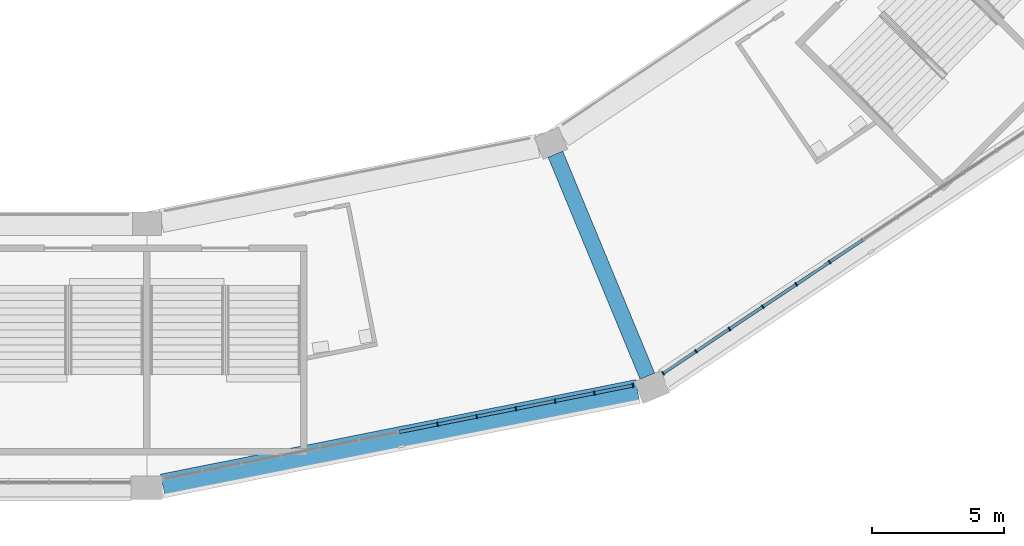
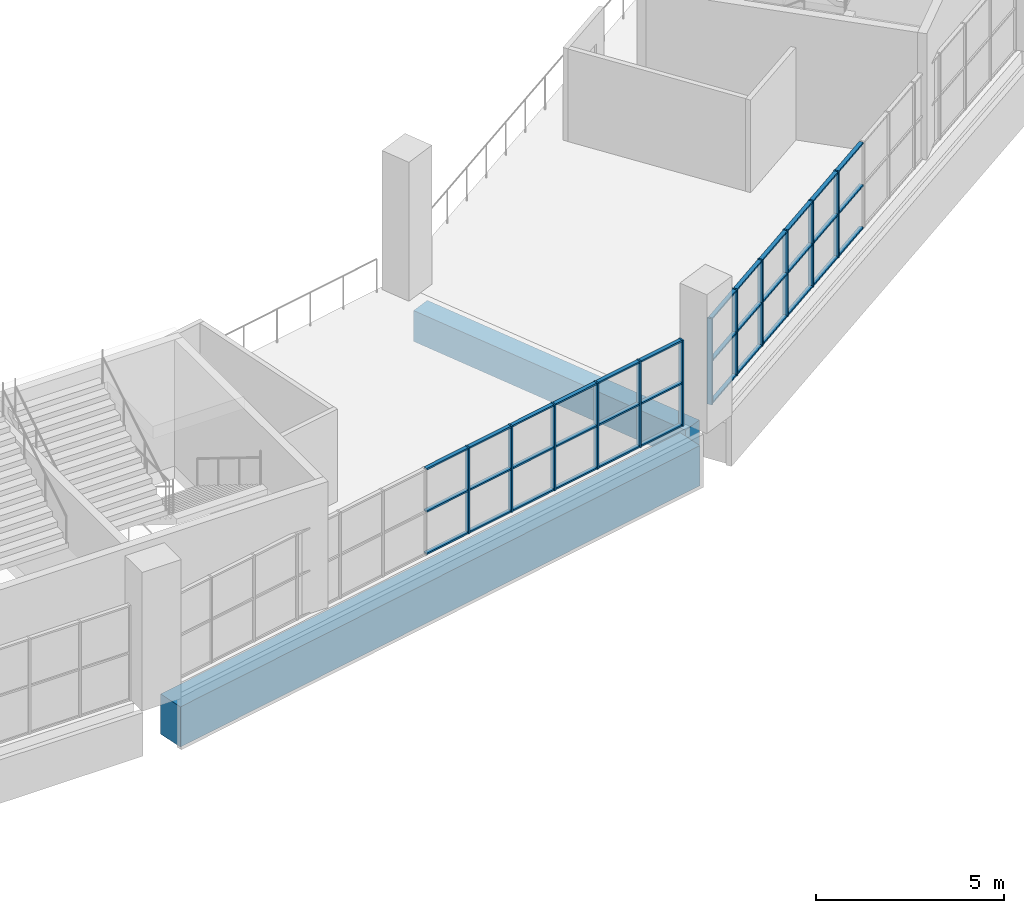
# One storey, part 16 of 177: 48 members, 2 beams, 2 elements without a shape of their own.
"""IFC4 building model written with IfcOpenShell, lengths in metres."""

from ifc_helpers import new_model, si_unit, direction, frame, origin, origin_2d, place, context, subcontext, project, spatial, rectangle, extrude, material, material_profile, profile_set, type_object, element, aggregate, save


model = new_model("IFC4")

# Units and contexts
model_context = context("Model", 3, precision=1e-05, world=origin(), true_north=direction((0.0, 1.0)))
body_context = subcontext(model_context, "Body", "Model", "MODEL_VIEW")
ifc_project = project(units=[si_unit("LENGTHUNIT", "METRE"), si_unit("AREAUNIT", "SQUARE_METRE"), si_unit("VOLUMEUNIT", "CUBIC_METRE"), si_unit("PLANEANGLEUNIT", "RADIAN"), si_unit("MASSUNIT", "GRAM", prefix="KILO")], contexts=[model_context])

# Site, building, storey
site_placement = place(None, origin())
site = spatial("IfcSite", under=ifc_project, at=site_placement, CompositionType="ELEMENT")
building_placement = place(site_placement, origin())
building = spatial("IfcBuilding", under=site, at=building_placement, Name="Ogive Plaza Stadium", CompositionType="ELEMENT")
storey_placement = place(building_placement, frame((0.0, 0.0, 18.0)))
storey = spatial("IfcBuildingStorey", under=building, at=storey_placement, Name="L04", CompositionType="ELEMENT", Elevation=18.0)

# Curtain wall, members
ifc_material_1 = material(Name="Bronze-anodised aluminium with laminated glass", Category="aluminium")
curtain_wall_type = type_object("IfcCurtainWallType", Name="Lancet curtain wall", PredefinedType="NOTDEFINED", material=ifc_material_1)
curtain_wall_1_placement = place(storey_placement, origin())
curtain_wall_1 = element("IfcCurtainWall", 1, at=curtain_wall_1_placement, inside=storey, type_object=curtain_wall_type, Name="CURTAIN WALL B10 L04", PredefinedType="NOTDEFINED")
ifc_material_2 = material(Name="Bronze-anodised aluminium", Category="aluminium")
ifc_material_profile_1 = material_profile(ifc_material_2, rectangle(XDim=0.14990234375, YDim=0.050048828125, at=origin_2d()), Name="AL 150x50")
ifc_profile_set_1 = profile_set([ifc_material_profile_1], Name="Bronze-anodised aluminium")
member_type_1 = type_object("IfcMemberType", Name="Curtain wall mullion 50x150", PredefinedType="MULLION", material=ifc_profile_set_1)
member_1_placement = place(storey_placement, frame((59.867919921875, -93.9541015625, 0.0), z_axis=(0.0, 0.0, 1.0), x_axis=(0.55557023302, -0.831469612303, 0.0)))
member_1 = element("IfcMember", 2, at=member_1_placement, type_object=member_type_1, Name="CW-B10-L04 mullion 8", PredefinedType="MULLION", context=body_context, shape_type="SweptSolid", body=[
    extrude(rectangle(XDim=0.14990234375, YDim=0.050048828125, at=origin_2d()), origin(), (0.0, 0.0, 1.0), 2.7900390625),
])
member_2_placement = place(storey_placement, frame((58.60205078125, -94.7998046875, 0.0), z_axis=(0.0, 0.0, 1.0), x_axis=(0.55557023302, -0.831469612303, 0.0)))
member_2 = element("IfcMember", 3, at=member_2_placement, type_object=member_type_1, Name="CW-B10-L04 mullion 9", PredefinedType="MULLION", context=body_context, shape_type="SweptSolid", body=[
    extrude(rectangle(XDim=0.14990234375, YDim=0.050048828125, at=origin_2d()), origin(), (0.0, 0.0, 1.0), 2.7900390625),
])
member_3_placement = place(storey_placement, frame((57.336181640625, -95.645751953125, 0.0), z_axis=(0.0, 0.0, 1.0), x_axis=(0.55557023302, -0.831469612303, 0.0)))
member_3 = element("IfcMember", 4, at=member_3_placement, type_object=member_type_1, Name="CW-B10-L04 mullion 10", PredefinedType="MULLION", context=body_context, shape_type="SweptSolid", body=[
    extrude(rectangle(XDim=0.14990234375, YDim=0.050048828125, at=origin_2d()), origin(), (0.0, 0.0, 1.0), 2.7900390625),
])
member_4_placement = place(storey_placement, frame((56.070556640625, -96.491455078125, 0.0), z_axis=(0.0, 0.0, 1.0), x_axis=(0.55557023302, -0.831469612303, 0.0)))
member_4 = element("IfcMember", 5, at=member_4_placement, type_object=member_type_1, Name="CW-B10-L04 mullion 11", PredefinedType="MULLION", context=body_context, shape_type="SweptSolid", body=[
    extrude(rectangle(XDim=0.14990234375, YDim=0.050048828125, at=origin_2d()), origin(), (0.0, 0.0, 1.0), 2.7900390625),
])
member_5_placement = place(storey_placement, frame((54.8046875, -97.337158203125, 0.0), z_axis=(0.0, 0.0, 1.0), x_axis=(0.55557023302, -0.831469612303, 0.0)))
member_5 = element("IfcMember", 6, at=member_5_placement, type_object=member_type_1, Name="CW-B10-L04 mullion 12", PredefinedType="MULLION", context=body_context, shape_type="SweptSolid", body=[
    extrude(rectangle(XDim=0.14990234375, YDim=0.050048828125, at=origin_2d()), origin(), (0.0, 0.0, 1.0), 2.7900390625),
])
member_6_placement = place(storey_placement, frame((53.559814453125, -98.169189453125, 0.0), z_axis=(0.0, 0.0, 1.0), x_axis=(0.55557023302, -0.831469612303, 0.0)))
member_6 = element("IfcMember", 7, at=member_6_placement, type_object=member_type_1, Name="CW-B10-L04 mullion 13", PredefinedType="MULLION", context=body_context, shape_type="SweptSolid", body=[
    extrude(rectangle(XDim=0.14990234375, YDim=0.050048828125, at=origin_2d()), origin(), (0.0, 0.0, 1.0), 2.7900390625),
])

curtain_wall_2_placement = place(storey_placement, origin())
curtain_wall_2 = element("IfcCurtainWall", 8, at=curtain_wall_2_placement, inside=storey, type_object=curtain_wall_type, Name="CURTAIN WALL B11 L04", PredefinedType="NOTDEFINED")
member_7_placement = place(storey_placement, frame((52.412109375, -98.6337890625, 0.0), z_axis=(0.0, 0.0, 1.0), x_axis=(0.195090322016, -0.980785280403, 0.0)))
member_7 = element("IfcMember", 9, at=member_7_placement, type_object=member_type_1, Name="CW-B11-L04 mullion 1", PredefinedType="MULLION", context=body_context, shape_type="SweptSolid", body=[
    extrude(rectangle(XDim=0.14990234375, YDim=0.050048828125, at=origin_2d()), origin(), (0.0, 0.0, 1.0), 2.7900390625),
])
member_8_placement = place(storey_placement, frame((50.951904296875, -98.924072265625, 0.0), z_axis=(0.0, 0.0, 1.0), x_axis=(0.195090322016, -0.980785280403, 0.0)))
member_8 = element("IfcMember", 10, at=member_8_placement, type_object=member_type_1, Name="CW-B11-L04 mullion 2", PredefinedType="MULLION", context=body_context, shape_type="SweptSolid", body=[
    extrude(rectangle(XDim=0.14990234375, YDim=0.050048828125, at=origin_2d()), origin(), (0.0, 0.0, 1.0), 2.7900390625),
])
member_9_placement = place(storey_placement, frame((49.467041015625, -99.219482421875, 0.0), z_axis=(0.0, 0.0, 1.0), x_axis=(0.195090322016, -0.980785280403, 0.0)))
member_9 = element("IfcMember", 11, at=member_9_placement, type_object=member_type_1, Name="CW-B11-L04 mullion 3", PredefinedType="MULLION", context=body_context, shape_type="SweptSolid", body=[
    extrude(rectangle(XDim=0.14990234375, YDim=0.050048828125, at=origin_2d()), origin(), (0.0, 0.0, 1.0), 2.7900390625),
])
member_10_placement = place(storey_placement, frame((47.982421875, -99.514892578125, 0.0), z_axis=(0.0, 0.0, 1.0), x_axis=(0.195090322016, -0.980785280403, 0.0)))
member_10 = element("IfcMember", 12, at=member_10_placement, type_object=member_type_1, Name="CW-B11-L04 mullion 4", PredefinedType="MULLION", context=body_context, shape_type="SweptSolid", body=[
    extrude(rectangle(XDim=0.14990234375, YDim=0.050048828125, at=origin_2d()), origin(), (0.0, 0.0, 1.0), 2.7900390625),
])
member_11_placement = place(storey_placement, frame((46.49755859375, -99.81005859375, 0.0), z_axis=(0.0, 0.0, 1.0), x_axis=(0.195090322016, -0.980785280403, 0.0)))
member_11 = element("IfcMember", 13, at=member_11_placement, type_object=member_type_1, Name="CW-B11-L04 mullion 5", PredefinedType="MULLION", context=body_context, shape_type="SweptSolid", body=[
    extrude(rectangle(XDim=0.14990234375, YDim=0.050048828125, at=origin_2d()), origin(), (0.0, 0.0, 1.0), 2.7900390625),
])
member_12_placement = place(storey_placement, frame((45.012939453125, -100.10546875, 0.0), z_axis=(0.0, 0.0, 1.0), x_axis=(0.195090322016, -0.980785280403, 0.0)))
member_12 = element("IfcMember", 14, at=member_12_placement, type_object=member_type_1, Name="CW-B11-L04 mullion 6", PredefinedType="MULLION", context=body_context, shape_type="SweptSolid", body=[
    extrude(rectangle(XDim=0.14990234375, YDim=0.050048828125, at=origin_2d()), origin(), (0.0, 0.0, 1.0), 2.7900390625),
])

# Member
ifc_material_3 = material(Name="Bronze-anodised aluminium", Category="aluminium")
ifc_material_profile_2 = material_profile(ifc_material_3, rectangle(XDim=0.1201171875, YDim=0.050048828125, at=origin_2d()), Name="AL 120x50")
ifc_profile_set_2 = profile_set([ifc_material_profile_2], Name="Bronze-anodised aluminium")
member_type_2 = type_object("IfcMemberType", Name="Curtain wall transom 50x120", PredefinedType="USERDEFINED", material=ifc_profile_set_2)
member_13_placement = place(storey_placement, frame((61.11279296875, -93.122314453125, 0.02490234375), z_axis=(-0.831488586159, -0.555541835587, 0.0), x_axis=(0.555541835587, -0.831488586159, 0.0)))
member_13 = element("IfcMember", 15, at=member_13_placement, type_object=member_type_2, Name="CW-B10-L04 transom 7.1", ObjectType="TRANSOM", PredefinedType="USERDEFINED", context=body_context, shape_type="SweptSolid", body=[
    extrude(rectangle(XDim=0.1201171875, YDim=0.050048828125, at=origin_2d()), origin(), (0.0, 0.0, 1.0), 1.47216796875),
])

member_14_placement = place(storey_placement, frame((61.11279296875, -93.122314453125, 1.39501953125), z_axis=(-0.831488586159, -0.555541835587, 0.0), x_axis=(0.555541835587, -0.831488586159, 0.0)))
member_14 = element("IfcMember", 16, at=member_14_placement, type_object=member_type_2, Name="CW-B10-L04 transom 7.2", ObjectType="TRANSOM", PredefinedType="USERDEFINED", context=body_context, shape_type="SweptSolid", body=[
    extrude(rectangle(XDim=0.1201171875, YDim=0.050048828125, at=origin_2d()), origin(), (0.0, 0.0, 1.0), 1.47216796875),
])

member_15_placement = place(storey_placement, frame((61.11279296875, -93.122314453125, 2.764892578125), z_axis=(-0.831488586159, -0.555541835587, 0.0), x_axis=(0.555541835587, -0.831488586159, 0.0)))
member_15 = element("IfcMember", 17, at=member_15_placement, type_object=member_type_2, Name="CW-B10-L04 transom 7.3", ObjectType="TRANSOM", PredefinedType="USERDEFINED", context=body_context, shape_type="SweptSolid", body=[
    extrude(rectangle(XDim=0.1201171875, YDim=0.050048828125, at=origin_2d()), origin(), (0.0, 0.0, 1.0), 1.47216796875),
])

member_16_placement = place(storey_placement, frame((59.84716796875, -93.968017578125, 0.02490234375), z_axis=(-0.831463168883, -0.555579876157, 0.0), x_axis=(0.555579876157, -0.831463168883, 0.0)))
member_16 = element("IfcMember", 18, at=member_16_placement, type_object=member_type_2, Name="CW-B10-L04 transom 8.1", ObjectType="TRANSOM", PredefinedType="USERDEFINED", context=body_context, shape_type="SweptSolid", body=[
    extrude(rectangle(XDim=0.1201171875, YDim=0.050048828125, at=origin_2d()), origin(), (0.0, 0.0, 1.0), 1.47265625),
])

member_17_placement = place(storey_placement, frame((59.84716796875, -93.968017578125, 1.39501953125), z_axis=(-0.831463168883, -0.555579876157, 0.0), x_axis=(0.555579876157, -0.831463168883, 0.0)))
member_17 = element("IfcMember", 19, at=member_17_placement, type_object=member_type_2, Name="CW-B10-L04 transom 8.2", ObjectType="TRANSOM", PredefinedType="USERDEFINED", context=body_context, shape_type="SweptSolid", body=[
    extrude(rectangle(XDim=0.1201171875, YDim=0.050048828125, at=origin_2d()), origin(), (0.0, 0.0, 1.0), 1.47265625),
])

member_18_placement = place(storey_placement, frame((59.84716796875, -93.968017578125, 2.764892578125), z_axis=(-0.831463168883, -0.555579876157, 0.0), x_axis=(0.555579876157, -0.831463168883, 0.0)))
member_18 = element("IfcMember", 20, at=member_18_placement, type_object=member_type_2, Name="CW-B10-L04 transom 8.3", ObjectType="TRANSOM", PredefinedType="USERDEFINED", context=body_context, shape_type="SweptSolid", body=[
    extrude(rectangle(XDim=0.1201171875, YDim=0.050048828125, at=origin_2d()), origin(), (0.0, 0.0, 1.0), 1.47265625),
])

member_19_placement = place(storey_placement, frame((58.581298828125, -94.813720703125, 0.02490234375), z_axis=(-0.831411982446, -0.555656472512, 0.0), x_axis=(0.555656472512, -0.831411982446, 0.0)))
member_19 = element("IfcMember", 21, at=member_19_placement, type_object=member_type_2, Name="CW-B10-L04 transom 9.1", ObjectType="TRANSOM", PredefinedType="USERDEFINED", context=body_context, shape_type="SweptSolid", body=[
    extrude(rectangle(XDim=0.1201171875, YDim=0.050048828125, at=origin_2d()), origin(), (0.0, 0.0, 1.0), 1.472412109375),
])

member_20_placement = place(storey_placement, frame((58.581298828125, -94.813720703125, 1.39501953125), z_axis=(-0.831411982446, -0.555656472512, 0.0), x_axis=(0.555656472512, -0.831411982446, 0.0)))
member_20 = element("IfcMember", 22, at=member_20_placement, type_object=member_type_2, Name="CW-B10-L04 transom 9.2", ObjectType="TRANSOM", PredefinedType="USERDEFINED", context=body_context, shape_type="SweptSolid", body=[
    extrude(rectangle(XDim=0.1201171875, YDim=0.050048828125, at=origin_2d()), origin(), (0.0, 0.0, 1.0), 1.472412109375),
])

member_21_placement = place(storey_placement, frame((58.581298828125, -94.813720703125, 2.764892578125), z_axis=(-0.831411982446, -0.555656472512, 0.0), x_axis=(0.555656472512, -0.831411982446, 0.0)))
member_21 = element("IfcMember", 23, at=member_21_placement, type_object=member_type_2, Name="CW-B10-L04 transom 9.3", ObjectType="TRANSOM", PredefinedType="USERDEFINED", context=body_context, shape_type="SweptSolid", body=[
    extrude(rectangle(XDim=0.1201171875, YDim=0.050048828125, at=origin_2d()), origin(), (0.0, 0.0, 1.0), 1.472412109375),
])

member_22_placement = place(storey_placement, frame((57.3154296875, -95.65966796875, 0.02490234375), z_axis=(-0.831488586159, -0.555541835587, 0.0), x_axis=(0.555541835587, -0.831488586159, 0.0)))
member_22 = element("IfcMember", 24, at=member_22_placement, type_object=member_type_2, Name="CW-B10-L04 transom 10.1", ObjectType="TRANSOM", PredefinedType="USERDEFINED", context=body_context, shape_type="SweptSolid", body=[
    extrude(rectangle(XDim=0.1201171875, YDim=0.050048828125, at=origin_2d()), origin(), (0.0, 0.0, 1.0), 1.47216796875),
])

member_23_placement = place(storey_placement, frame((57.3154296875, -95.65966796875, 1.39501953125), z_axis=(-0.831488586159, -0.555541835587, 0.0), x_axis=(0.555541835587, -0.831488586159, 0.0)))
member_23 = element("IfcMember", 25, at=member_23_placement, type_object=member_type_2, Name="CW-B10-L04 transom 10.2", ObjectType="TRANSOM", PredefinedType="USERDEFINED", context=body_context, shape_type="SweptSolid", body=[
    extrude(rectangle(XDim=0.1201171875, YDim=0.050048828125, at=origin_2d()), origin(), (0.0, 0.0, 1.0), 1.47216796875),
])

member_24_placement = place(storey_placement, frame((57.3154296875, -95.65966796875, 2.764892578125), z_axis=(-0.831488586159, -0.555541835587, 0.0), x_axis=(0.555541835587, -0.831488586159, 0.0)))
member_24 = element("IfcMember", 26, at=member_24_placement, type_object=member_type_2, Name="CW-B10-L04 transom 10.3", ObjectType="TRANSOM", PredefinedType="USERDEFINED", context=body_context, shape_type="SweptSolid", body=[
    extrude(rectangle(XDim=0.1201171875, YDim=0.050048828125, at=origin_2d()), origin(), (0.0, 0.0, 1.0), 1.47216796875),
])

member_25_placement = place(storey_placement, frame((56.0498046875, -96.50537109375, 0.02490234375), z_axis=(-0.83153975619, -0.555465240925, 0.0), x_axis=(0.555465240925, -0.83153975619, 0.0)))
member_25 = element("IfcMember", 27, at=member_25_placement, type_object=member_type_2, Name="CW-B10-L04 transom 11.1", ObjectType="TRANSOM", PredefinedType="USERDEFINED", context=body_context, shape_type="SweptSolid", body=[
    extrude(rectangle(XDim=0.1201171875, YDim=0.050048828125, at=origin_2d()), origin(), (0.0, 0.0, 1.0), 1.472412109375),
])

member_26_placement = place(storey_placement, frame((56.0498046875, -96.50537109375, 1.39501953125), z_axis=(-0.83153975619, -0.555465240925, 0.0), x_axis=(0.555465240925, -0.83153975619, 0.0)))
member_26 = element("IfcMember", 28, at=member_26_placement, type_object=member_type_2, Name="CW-B10-L04 transom 11.2", ObjectType="TRANSOM", PredefinedType="USERDEFINED", context=body_context, shape_type="SweptSolid", body=[
    extrude(rectangle(XDim=0.1201171875, YDim=0.050048828125, at=origin_2d()), origin(), (0.0, 0.0, 1.0), 1.472412109375),
])

member_27_placement = place(storey_placement, frame((56.0498046875, -96.50537109375, 2.764892578125), z_axis=(-0.83153975619, -0.555465240925, 0.0), x_axis=(0.555465240925, -0.83153975619, 0.0)))
member_27 = element("IfcMember", 29, at=member_27_placement, type_object=member_type_2, Name="CW-B10-L04 transom 11.3", ObjectType="TRANSOM", PredefinedType="USERDEFINED", context=body_context, shape_type="SweptSolid", body=[
    extrude(rectangle(XDim=0.1201171875, YDim=0.050048828125, at=origin_2d()), origin(), (0.0, 0.0, 1.0), 1.472412109375),
])

member_28_placement = place(storey_placement, frame((54.783935546875, -97.35107421875, 0.02490234375), z_axis=(-0.831426948977, -0.555634077892, 0.0), x_axis=(0.555634077892, -0.831426948977, 0.0)))
member_28 = element("IfcMember", 30, at=member_28_placement, type_object=member_type_2, Name="CW-B10-L04 transom 12.1", ObjectType="TRANSOM", PredefinedType="USERDEFINED", context=body_context, shape_type="SweptSolid", body=[
    extrude(rectangle(XDim=0.1201171875, YDim=0.050048828125, at=origin_2d()), origin(), (0.0, 0.0, 1.0), 1.447265625),
])

member_29_placement = place(storey_placement, frame((54.783935546875, -97.35107421875, 1.39501953125), z_axis=(-0.831426948977, -0.555634077892, 0.0), x_axis=(0.555634077892, -0.831426948977, 0.0)))
member_29 = element("IfcMember", 31, at=member_29_placement, type_object=member_type_2, Name="CW-B10-L04 transom 12.2", ObjectType="TRANSOM", PredefinedType="USERDEFINED", context=body_context, shape_type="SweptSolid", body=[
    extrude(rectangle(XDim=0.1201171875, YDim=0.050048828125, at=origin_2d()), origin(), (0.0, 0.0, 1.0), 1.447265625),
])

member_30_placement = place(storey_placement, frame((54.783935546875, -97.35107421875, 2.764892578125), z_axis=(-0.831426948977, -0.555634077892, 0.0), x_axis=(0.555634077892, -0.831426948977, 0.0)))
member_30 = element("IfcMember", 32, at=member_30_placement, type_object=member_type_2, Name="CW-B10-L04 transom 12.3", ObjectType="TRANSOM", PredefinedType="USERDEFINED", context=body_context, shape_type="SweptSolid", body=[
    extrude(rectangle(XDim=0.1201171875, YDim=0.050048828125, at=origin_2d()), origin(), (0.0, 0.0, 1.0), 1.447265625),
])

aggregate(curtain_wall_1, [member_1, member_2, member_3, member_4, member_5, member_6, member_13, member_14, member_15, member_16, member_17, member_18, member_19, member_20, member_21, member_22, member_23, member_24, member_25, member_26, member_27, member_28, member_29, member_30])

member_31_placement = place(storey_placement, frame((52.3876953125, -98.638671875, 0.02490234375), z_axis=(-0.980814888552, -0.194941412722, 0.0), x_axis=(0.194941412722, -0.980814888552, 0.0)))
member_31 = element("IfcMember", 33, at=member_31_placement, type_object=member_type_2, Name="CW-B11-L04 transom 1.1", ObjectType="TRANSOM", PredefinedType="USERDEFINED", context=body_context, shape_type="SweptSolid", body=[
    extrude(rectangle(XDim=0.1201171875, YDim=0.050048828125, at=origin_2d()), origin(), (0.0, 0.0, 1.0), 1.43896484375),
])

member_32_placement = place(storey_placement, frame((52.3876953125, -98.638671875, 1.39501953125), z_axis=(-0.980814888552, -0.194941412722, 0.0), x_axis=(0.194941412722, -0.980814888552, 0.0)))
member_32 = element("IfcMember", 34, at=member_32_placement, type_object=member_type_2, Name="CW-B11-L04 transom 1.2", ObjectType="TRANSOM", PredefinedType="USERDEFINED", context=body_context, shape_type="SweptSolid", body=[
    extrude(rectangle(XDim=0.1201171875, YDim=0.050048828125, at=origin_2d()), origin(), (0.0, 0.0, 1.0), 1.43896484375),
])

member_33_placement = place(storey_placement, frame((52.3876953125, -98.638671875, 2.764892578125), z_axis=(-0.980814888552, -0.194941412722, 0.0), x_axis=(0.194941412722, -0.980814888552, 0.0)))
member_33 = element("IfcMember", 35, at=member_33_placement, type_object=member_type_2, Name="CW-B11-L04 transom 1.3", ObjectType="TRANSOM", PredefinedType="USERDEFINED", context=body_context, shape_type="SweptSolid", body=[
    extrude(rectangle(XDim=0.1201171875, YDim=0.050048828125, at=origin_2d()), origin(), (0.0, 0.0, 1.0), 1.43896484375),
])

member_34_placement = place(storey_placement, frame((50.92724609375, -98.928955078125, 0.02490234375), z_axis=(-0.980772662828, -0.195153744134, 0.0), x_axis=(0.195153744134, -0.980772662828, 0.0)))
member_34 = element("IfcMember", 36, at=member_34_placement, type_object=member_type_2, Name="CW-B11-L04 transom 2.1", ObjectType="TRANSOM", PredefinedType="USERDEFINED", context=body_context, shape_type="SweptSolid", body=[
    extrude(rectangle(XDim=0.1201171875, YDim=0.050048828125, at=origin_2d()), origin(), (0.0, 0.0, 1.0), 1.463623046875),
])

member_35_placement = place(storey_placement, frame((50.92724609375, -98.928955078125, 1.39501953125), z_axis=(-0.980772662828, -0.195153744134, 0.0), x_axis=(0.195153744134, -0.980772662828, 0.0)))
member_35 = element("IfcMember", 37, at=member_35_placement, type_object=member_type_2, Name="CW-B11-L04 transom 2.2", ObjectType="TRANSOM", PredefinedType="USERDEFINED", context=body_context, shape_type="SweptSolid", body=[
    extrude(rectangle(XDim=0.1201171875, YDim=0.050048828125, at=origin_2d()), origin(), (0.0, 0.0, 1.0), 1.463623046875),
])

member_36_placement = place(storey_placement, frame((50.92724609375, -98.928955078125, 2.764892578125), z_axis=(-0.980772662828, -0.195153744134, 0.0), x_axis=(0.195153744134, -0.980772662828, 0.0)))
member_36 = element("IfcMember", 38, at=member_36_placement, type_object=member_type_2, Name="CW-B11-L04 transom 2.3", ObjectType="TRANSOM", PredefinedType="USERDEFINED", context=body_context, shape_type="SweptSolid", body=[
    extrude(rectangle(XDim=0.1201171875, YDim=0.050048828125, at=origin_2d()), origin(), (0.0, 0.0, 1.0), 1.463623046875),
])

member_37_placement = place(storey_placement, frame((49.442626953125, -99.224365234375, 0.02490234375), z_axis=(-0.980779013771, -0.195121823859, 0.0), x_axis=(0.195121823859, -0.980779013771, 0.0)))
member_37 = element("IfcMember", 39, at=member_37_placement, type_object=member_type_2, Name="CW-B11-L04 transom 3.1", ObjectType="TRANSOM", PredefinedType="USERDEFINED", context=body_context, shape_type="SweptSolid", body=[
    extrude(rectangle(XDim=0.1201171875, YDim=0.050048828125, at=origin_2d()), origin(), (0.0, 0.0, 1.0), 1.4638671875),
])

member_38_placement = place(storey_placement, frame((49.442626953125, -99.224365234375, 1.39501953125), z_axis=(-0.980779013771, -0.195121823859, 0.0), x_axis=(0.195121823859, -0.980779013771, 0.0)))
member_38 = element("IfcMember", 40, at=member_38_placement, type_object=member_type_2, Name="CW-B11-L04 transom 3.2", ObjectType="TRANSOM", PredefinedType="USERDEFINED", context=body_context, shape_type="SweptSolid", body=[
    extrude(rectangle(XDim=0.1201171875, YDim=0.050048828125, at=origin_2d()), origin(), (0.0, 0.0, 1.0), 1.4638671875),
])

member_39_placement = place(storey_placement, frame((49.442626953125, -99.224365234375, 2.764892578125), z_axis=(-0.980779013771, -0.195121823859, 0.0), x_axis=(0.195121823859, -0.980779013771, 0.0)))
member_39 = element("IfcMember", 41, at=member_39_placement, type_object=member_type_2, Name="CW-B11-L04 transom 3.3", ObjectType="TRANSOM", PredefinedType="USERDEFINED", context=body_context, shape_type="SweptSolid", body=[
    extrude(rectangle(XDim=0.1201171875, YDim=0.050048828125, at=origin_2d()), origin(), (0.0, 0.0, 1.0), 1.4638671875),
])

member_40_placement = place(storey_placement, frame((47.957763671875, -99.519775390625, 0.02490234375), z_axis=(-0.980804576136, -0.194993290732, 0.0), x_axis=(0.194993290732, -0.980804576136, 0.0)))
member_40 = element("IfcMember", 42, at=member_40_placement, type_object=member_type_2, Name="CW-B11-L04 transom 4.1", ObjectType="TRANSOM", PredefinedType="USERDEFINED", context=body_context, shape_type="SweptSolid", body=[
    extrude(rectangle(XDim=0.1201171875, YDim=0.050048828125, at=origin_2d()), origin(), (0.0, 0.0, 1.0), 1.463623046875),
])

member_41_placement = place(storey_placement, frame((47.957763671875, -99.519775390625, 1.39501953125), z_axis=(-0.980804576136, -0.194993290732, 0.0), x_axis=(0.194993290732, -0.980804576136, 0.0)))
member_41 = element("IfcMember", 43, at=member_41_placement, type_object=member_type_2, Name="CW-B11-L04 transom 4.2", ObjectType="TRANSOM", PredefinedType="USERDEFINED", context=body_context, shape_type="SweptSolid", body=[
    extrude(rectangle(XDim=0.1201171875, YDim=0.050048828125, at=origin_2d()), origin(), (0.0, 0.0, 1.0), 1.463623046875),
])

member_42_placement = place(storey_placement, frame((47.957763671875, -99.519775390625, 2.764892578125), z_axis=(-0.980804576136, -0.194993290732, 0.0), x_axis=(0.194993290732, -0.980804576136, 0.0)))
member_42 = element("IfcMember", 44, at=member_42_placement, type_object=member_type_2, Name="CW-B11-L04 transom 4.3", ObjectType="TRANSOM", PredefinedType="USERDEFINED", context=body_context, shape_type="SweptSolid", body=[
    extrude(rectangle(XDim=0.1201171875, YDim=0.050048828125, at=origin_2d()), origin(), (0.0, 0.0, 1.0), 1.463623046875),
])

member_43_placement = place(storey_placement, frame((46.47314453125, -99.81494140625, 0.02490234375), z_axis=(-0.980779013771, -0.195121823859, 0.0), x_axis=(0.195121823859, -0.980779013771, 0.0)))
member_43 = element("IfcMember", 45, at=member_43_placement, type_object=member_type_2, Name="CW-B11-L04 transom 5.1", ObjectType="TRANSOM", PredefinedType="USERDEFINED", context=body_context, shape_type="SweptSolid", body=[
    extrude(rectangle(XDim=0.1201171875, YDim=0.050048828125, at=origin_2d()), origin(), (0.0, 0.0, 1.0), 1.4638671875),
])

member_44_placement = place(storey_placement, frame((46.47314453125, -99.81494140625, 1.39501953125), z_axis=(-0.980779013771, -0.195121823859, 0.0), x_axis=(0.195121823859, -0.980779013771, 0.0)))
member_44 = element("IfcMember", 46, at=member_44_placement, type_object=member_type_2, Name="CW-B11-L04 transom 5.2", ObjectType="TRANSOM", PredefinedType="USERDEFINED", context=body_context, shape_type="SweptSolid", body=[
    extrude(rectangle(XDim=0.1201171875, YDim=0.050048828125, at=origin_2d()), origin(), (0.0, 0.0, 1.0), 1.4638671875),
])

member_45_placement = place(storey_placement, frame((46.47314453125, -99.81494140625, 2.764892578125), z_axis=(-0.980779013771, -0.195121823859, 0.0), x_axis=(0.195121823859, -0.980779013771, 0.0)))
member_45 = element("IfcMember", 47, at=member_45_placement, type_object=member_type_2, Name="CW-B11-L04 transom 5.3", ObjectType="TRANSOM", PredefinedType="USERDEFINED", context=body_context, shape_type="SweptSolid", body=[
    extrude(rectangle(XDim=0.1201171875, YDim=0.050048828125, at=origin_2d()), origin(), (0.0, 0.0, 1.0), 1.4638671875),
])

member_46_placement = place(storey_placement, frame((44.98828125, -100.1103515625, 0.02490234375), z_axis=(-0.980779013771, -0.195121823859, 0.0), x_axis=(0.195121823859, -0.980779013771, 0.0)))
member_46 = element("IfcMember", 48, at=member_46_placement, type_object=member_type_2, Name="CW-B11-L04 transom 6.1", ObjectType="TRANSOM", PredefinedType="USERDEFINED", context=body_context, shape_type="SweptSolid", body=[
    extrude(rectangle(XDim=0.1201171875, YDim=0.050048828125, at=origin_2d()), origin(), (0.0, 0.0, 1.0), 1.4638671875),
])

member_47_placement = place(storey_placement, frame((44.98828125, -100.1103515625, 1.39501953125), z_axis=(-0.980779013771, -0.195121823859, 0.0), x_axis=(0.195121823859, -0.980779013771, 0.0)))
member_47 = element("IfcMember", 49, at=member_47_placement, type_object=member_type_2, Name="CW-B11-L04 transom 6.2", ObjectType="TRANSOM", PredefinedType="USERDEFINED", context=body_context, shape_type="SweptSolid", body=[
    extrude(rectangle(XDim=0.1201171875, YDim=0.050048828125, at=origin_2d()), origin(), (0.0, 0.0, 1.0), 1.4638671875),
])

member_48_placement = place(storey_placement, frame((44.98828125, -100.1103515625, 2.764892578125), z_axis=(-0.980779013771, -0.195121823859, 0.0), x_axis=(0.195121823859, -0.980779013771, 0.0)))
member_48 = element("IfcMember", 50, at=member_48_placement, type_object=member_type_2, Name="CW-B11-L04 transom 6.3", ObjectType="TRANSOM", PredefinedType="USERDEFINED", context=body_context, shape_type="SweptSolid", body=[
    extrude(rectangle(XDim=0.1201171875, YDim=0.050048828125, at=origin_2d()), origin(), (0.0, 0.0, 1.0), 1.4638671875),
])

aggregate(curtain_wall_2, [member_7, member_8, member_9, member_10, member_11, member_12, member_31, member_32, member_33, member_34, member_35, member_36, member_37, member_38, member_39, member_40, member_41, member_42, member_43, member_44, member_45, member_46, member_47, member_48])

# Beams
ifc_material_4 = material(Name="Concrete C40/50", Category="concrete")
ifc_material_profile_3 = material_profile(ifc_material_4, rectangle(XDim=0.60009765625, YDim=1.0, at=origin_2d()), Name="RC 600x1000")
ifc_profile_set_3 = profile_set([ifc_material_profile_3], Name="Concrete C40/50")
beam_type_1 = type_object("IfcBeamType", Name="RC radial beam 600x1000", PredefinedType="BEAM", material=ifc_profile_set_3)
beam_1_placement = place(storey_placement, frame((49.4794921875, -89.870849609375, -0.909912109375), z_axis=(0.382677193504, -0.923882116707, 0.0), x_axis=(0.923882116707, 0.382677193504, 0.0)))
element("IfcBeam", 51, at=beam_1_placement, inside=storey, type_object=beam_type_1, Name="Radial beam L04 R11 F4F5", PredefinedType="BEAM", context=body_context, shape_type="SweptSolid", body=[
    extrude(rectangle(XDim=0.60009765625, YDim=1.0, at=origin_2d()), origin(), (0.0, 0.0, 1.0), 9.10009765625),
])
ifc_material_5 = material(Name="Concrete C40/50", Category="concrete")
ifc_material_profile_4 = material_profile(ifc_material_5, rectangle(XDim=0.800048828125, YDim=1.300048828125, at=origin_2d()), Name="RC 800x1300")
ifc_profile_set_4 = profile_set([ifc_material_profile_4], Name="Concrete C40/50")
beam_type_2 = type_object("IfcBeamType", Name="RC spandrel beam 800x1300", PredefinedType="SPANDREL", material=ifc_profile_set_4)
beam_2_placement = place(storey_placement, frame((52.584228515625, -98.803466796875, -1.06005859375), z_axis=(-0.980786507619, -0.195084152283, 0.0), x_axis=(0.195084152283, -0.980786507619, 0.0)))
element("IfcBeam", 52, at=beam_2_placement, inside=storey, type_object=beam_type_2, Name="Ring beam F5 L04 B11", PredefinedType="SPANDREL", context=body_context, shape_type="SweptSolid", body=[
    extrude(rectangle(XDim=0.800048828125, YDim=1.300048828125, at=origin_2d()), origin(), (0.0, 0.0, 1.0), 18.33642578125),
])

save(model, "model.ifc")
